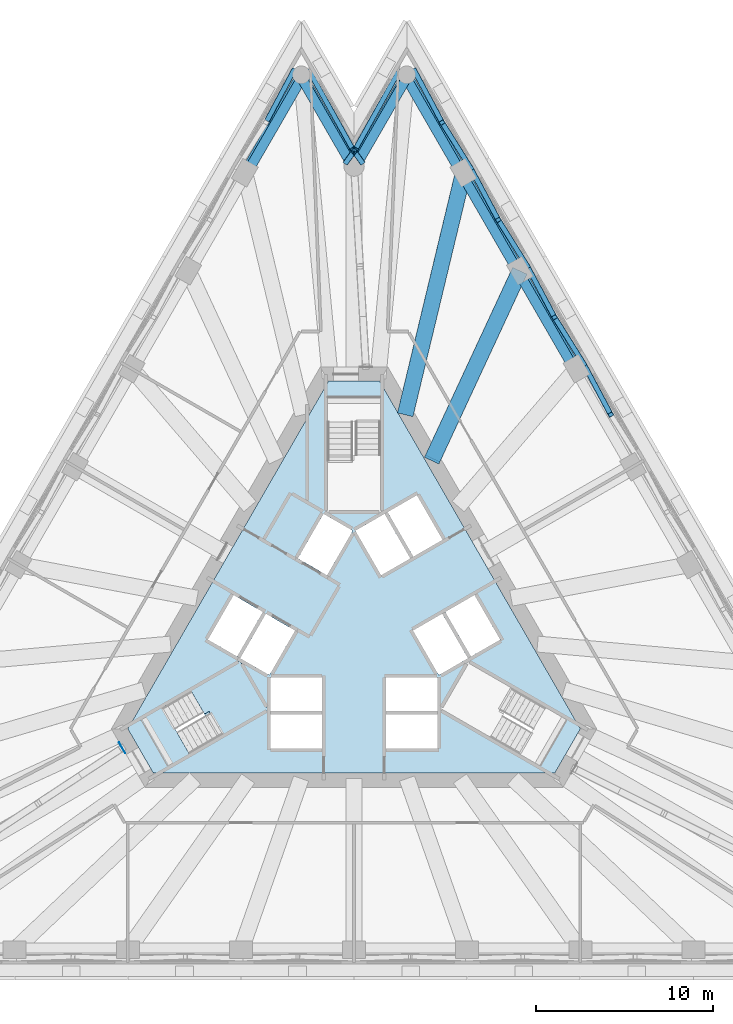
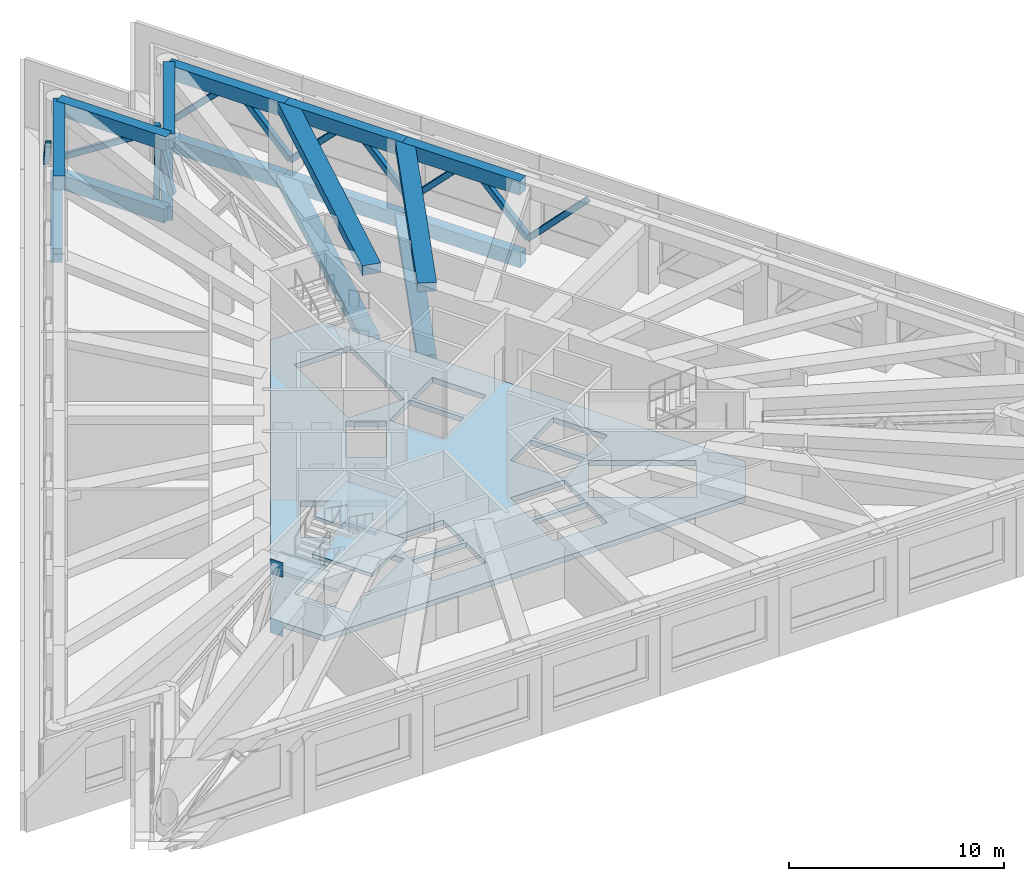
# One storey, part 4 of 13: 16 beams, 12 members, 4 slabs, 2 plates, 1 element without a shape of its own.
"""IFC4 building model written with IfcOpenShell, lengths in metres."""

import ifcopenshell
import ifcopenshell.guid

model = None  # the IFC model being written
_history = None  # IfcOwnerHistory: only IFC2X3 demands one
_inside = {}  # id of a spatial element -> (the spatial element, [elements in it])
_under = {}  # id of a project, library or spatial element -> (it, [spatial elements below it])
_declared = {}  # id of a project -> (the project, [libraries it declares])
_typed = {}  # id of a type object -> (the type object, [elements of that type])
_made_of = {}  # id of a material, layer set ... -> (it, [elements and type objects made of it])


def new_model(schema):
    """Start an empty IFC model of exactly this schema.

    Asked for "IFC4X3", IfcOpenShell would pick the latest addendum, in which some entities
    have other attributes; the version numbers below select the first issue.
    IFC2X3 requires an IfcOwnerHistory on every rooted entity: one is made here for all.
    """
    global model, _history
    if schema == "IFC4X3":
        model = ifcopenshell.file(schema_version=(4, 3, 0, 0))
    else:
        model = ifcopenshell.file(schema=schema)
    _inside.clear()
    _under.clear()
    _declared.clear()
    _typed.clear()
    _made_of.clear()
    _history = None
    if model.schema == "IFC2X3":
        org = make("IfcOrganization", Name="unknown")
        user = make(
            "IfcPersonAndOrganization",
            ThePerson=make("IfcPerson", FamilyName="unknown"),
            TheOrganization=org,
        )
        app = make(
            "IfcApplication",
            ApplicationDeveloper=org,
            Version="unknown",
            ApplicationFullName="unknown",
            ApplicationIdentifier="unknown",
        )
        _history = make(
            "IfcOwnerHistory",
            OwningUser=user,
            OwningApplication=app,
            ChangeAction="ADDED",
            CreationDate=0,
        )
    return model


def make(cls, **values):
    """One entity of the class cls with the attributes given. An attribute that is None is left unset."""
    return model.create_entity(
        cls, **{name: value for name, value in values.items() if value is not None}
    )


def rooted(cls, **values):
    """An entity with a GlobalId (a new one), such as an element, a storey or a relation."""
    return make(cls, GlobalId=ifcopenshell.guid.new(), OwnerHistory=_history, **values)


def si_unit(unit_type, name, prefix=None):
    """IfcSIUnit, for example si_unit("LENGTHUNIT", "METRE", prefix="MILLI")."""
    return make("IfcSIUnit", UnitType=unit_type, Prefix=prefix, Name=name)


def assignment(units):
    """IfcUnitAssignment: the units of a project."""
    return None if units is None else make("IfcUnitAssignment", Units=units)


def point(xyz):
    """IfcCartesianPoint."""
    return None if xyz is None else make("IfcCartesianPoint", Coordinates=xyz)


def direction(xyz):
    """IfcDirection."""
    return None if xyz is None else make("IfcDirection", DirectionRatios=xyz)


def frame(location, z_axis=None, x_axis=None):
    """IfcAxis2Placement3D, a coordinate frame: its origin and axes. An axis left out is left unset."""
    return make(
        "IfcAxis2Placement3D",
        Location=point(location),
        Axis=direction(z_axis),
        RefDirection=direction(x_axis),
    )


def frame_2d(location, x_axis=None):
    """IfcAxis2Placement2D, a coordinate frame in the plane: its origin and x axis."""
    return make(
        "IfcAxis2Placement2D", Location=point(location), RefDirection=direction(x_axis)
    )


def origin():
    """The frame at (0, 0, 0) with its axes left unset."""
    return frame((0.0, 0.0, 0.0))


def origin_2d():
    """The frame at (0, 0) in the plane with its x axis left unset."""
    return frame_2d((0.0, 0.0))


def place(relative_to, where):
    """IfcLocalPlacement: puts the frame where relative to a parent placement (None: the world)."""
    return make(
        "IfcLocalPlacement", PlacementRelTo=relative_to, RelativePlacement=where
    )


def context(
    kind, dimensions, precision=None, world=None, true_north=None, identifier=None
):
    """IfcGeometricRepresentationContext, for example the 3D "Model" context."""
    return make(
        "IfcGeometricRepresentationContext",
        ContextIdentifier=identifier,
        ContextType=kind,
        CoordinateSpaceDimension=dimensions,
        Precision=precision,
        WorldCoordinateSystem=world,
        TrueNorth=true_north,
    )


def subcontext(parent, identifier, kind, view, scale=None):
    """IfcGeometricRepresentationSubContext, for example "Body" below "Model"."""
    return make(
        "IfcGeometricRepresentationSubContext",
        ContextIdentifier=identifier,
        ContextType=kind,
        ParentContext=parent,
        TargetScale=scale,
        TargetView=view,
    )


def project(units=None, contexts=None):
    """IfcProject with its units and contexts."""
    return rooted(
        "IfcProject",
        Name="project",
        RepresentationContexts=contexts,
        UnitsInContext=assignment(units),
    )


def spatial(cls, under=None, at=None, **own):
    """A site, building, storey or space (cls), placed at a placement, below another one or the project."""
    s = rooted(cls, ObjectPlacement=at, **own)
    if under is not None:
        _under.setdefault(under.id(), (under, []))[1].append(s)
    return s


def polyline(points):
    """IfcPolyline through the points."""
    return make("IfcPolyline", Points=[point(p) for p in points])


def profile(cls, at=None, kind="AREA", **sizes):
    """A parametric profile (cls). Its sizes go by their IFC names, for example OverallWidth=200.0."""
    return make(cls, ProfileType=kind, Position=at, **sizes)


def rectangle(**sizes):
    """IfcRectangleProfileDef."""
    return profile("IfcRectangleProfileDef", **sizes)


def hollow_rectangle(**sizes):
    """IfcRectangleHollowProfileDef."""
    return profile("IfcRectangleHollowProfileDef", **sizes)


def outline(outer, holes=None, kind="AREA"):
    """IfcArbitraryClosedProfileDef: a profile drawn as a closed curve; with holes, ...WithVoids."""
    if holes is None:
        return make("IfcArbitraryClosedProfileDef", ProfileType=kind, OuterCurve=outer)
    return make(
        "IfcArbitraryProfileDefWithVoids",
        ProfileType=kind,
        OuterCurve=outer,
        InnerCurves=holes,
    )


def extrude(swept, where, along, depth):
    """IfcExtrudedAreaSolid: the profile swept, set in the frame where, extruded along a direction by depth."""
    return make(
        "IfcExtrudedAreaSolid",
        SweptArea=swept,
        Position=where,
        ExtrudedDirection=direction(along),
        Depth=depth,
    )


def shape(context_of_items, identifier, shape_type, items):
    """IfcShapeRepresentation: the items that make up one representation, for example the "Body"."""
    return make(
        "IfcShapeRepresentation",
        ContextOfItems=context_of_items,
        RepresentationIdentifier=identifier,
        RepresentationType=shape_type,
        Items=items,
    )


def material(Name=None, Category=None):
    """IfcMaterial."""
    return make("IfcMaterial", Name=Name, Category=Category)


def layer(
    of_material, thickness, ventilated=None, Name=None, Category=None, Priority=None
):
    """IfcMaterialLayer: one layer of a wall or slab, of a material (None: an air gap)."""
    return make(
        "IfcMaterialLayer",
        Material=of_material,
        LayerThickness=thickness,
        IsVentilated=ventilated,
        Name=Name,
        Category=Category,
        Priority=Priority,
    )


def layer_set(layers, Name=None):
    """IfcMaterialLayerSet."""
    return make("IfcMaterialLayerSet", MaterialLayers=layers, LayerSetName=Name)


def material_profile(
    of_material, cross_section, Name=None, Category=None, Priority=None
):
    """IfcMaterialProfile: a cross section and its material."""
    return make(
        "IfcMaterialProfile",
        Name=Name,
        Material=of_material,
        Profile=cross_section,
        Priority=Priority,
        Category=Category,
    )


def profile_set(profiles, Name=None, composite=None):
    """IfcMaterialProfileSet."""
    return make(
        "IfcMaterialProfileSet",
        Name=Name,
        MaterialProfiles=profiles,
        CompositeProfile=composite,
    )


def made_of(thing, what):
    """Note that an element or type object is made of a material, layer set ...; save() writes the relation."""
    if what is not None:
        _made_of.setdefault(what.id(), (what, []))[1].append(thing)
    return thing


def type_object(cls, material=None, **own):
    """A type object (cls), such as IfcWallType, which elements share."""
    return made_of(rooted(cls, **own), material)


def element(
    cls,
    number,
    at=None,
    inside=None,
    cuts=None,
    type_object=None,
    material=None,
    context=None,
    identifier="Body",
    shape_type=None,
    held_by="IfcProductDefinitionShape",
    body=None,
    shapes=None,
    **own,
):
    """One element of the class cls, such as IfcWall. Its Tag is "e" and its number.

    at: its placement. inside: the storey or other place that contains it. cuts: it is an
    opening in that element (IfcRelVoidsElement). A single representation is given by context,
    identifier, shape_type and body (its items); several are given by shapes. held_by: the class
    of the entity that holds the representations. save() writes the other relations.
    """
    e = rooted(cls, Tag="e%d" % number, ObjectPlacement=at, **own)
    if body is not None:
        shapes = [shape(context, identifier, shape_type, body)]
    if shapes is not None:
        e.Representation = make(held_by, Representations=shapes)
    if inside is not None:
        _inside.setdefault(inside.id(), (inside, []))[1].append(e)
    if cuts is not None:
        rooted(
            "IfcRelVoidsElement", RelatingBuildingElement=cuts, RelatedOpeningElement=e
        )
    if type_object is not None:
        _typed.setdefault(type_object.id(), (type_object, []))[1].append(e)
    return made_of(e, material)


def aggregate(whole, parts):
    """IfcRelAggregates: a whole, such as a stair, and the parts it consists of."""
    return rooted("IfcRelAggregates", RelatingObject=whole, RelatedObjects=parts)


def save(model, path):
    """Write the relations noted so far, then the file.

    IfcRelAggregates (storeys below a building ...), IfcRelContainedInSpatialStructure (elements
    in a storey), IfcRelDefinesByType, IfcRelAssociatesMaterial and IfcRelDeclares: one each for
    every whole, place, type object, material and project.
    """
    for whole, parts in _under.values():
        aggregate(whole, parts)
    for where, things in _inside.values():
        rooted(
            "IfcRelContainedInSpatialStructure",
            RelatedElements=things,
            RelatingStructure=where,
        )
    for kind, things in _typed.values():
        rooted("IfcRelDefinesByType", RelatedObjects=things, RelatingType=kind)
    for what, things in _made_of.values():
        rooted("IfcRelAssociatesMaterial", RelatedObjects=things, RelatingMaterial=what)
    for by, libraries in _declared.values():
        rooted("IfcRelDeclares", RelatingContext=by, RelatedDefinitions=libraries)
    model.write(path)


model = new_model("IFC4")

# Units and contexts
model_context = context("Model", 3, precision=1e-05, world=origin(), true_north=direction((0.0, 1.0)))
body_context = subcontext(model_context, "Body", "Model", "MODEL_VIEW")
ifc_project = project(units=[si_unit("LENGTHUNIT", "METRE"), si_unit("AREAUNIT", "SQUARE_METRE"), si_unit("VOLUMEUNIT", "CUBIC_METRE"), si_unit("PLANEANGLEUNIT", "RADIAN"), si_unit("MASSUNIT", "GRAM", prefix="KILO")], contexts=[model_context])

# Site, building, storey
site_placement = place(None, origin())
site = spatial("IfcSite", under=ifc_project, at=site_placement, CompositionType="ELEMENT")
building_placement = place(site_placement, origin())
building = spatial("IfcBuilding", under=site, at=building_placement, Name="Triada Interchange Tower", CompositionType="ELEMENT")
storey_placement = place(building_placement, frame((0.0, 0.0, 176.300048828125)))
storey = spatial("IfcBuildingStorey", under=building, at=storey_placement, Name="L41", CompositionType="ELEMENT", Elevation=176.300048828125)

# Members
ifc_material_1 = material(Name="Steel S355", Category="steel")
ifc_material_profile_1 = material_profile(ifc_material_1, hollow_rectangle(XDim=0.300048828125, YDim=0.300048828125, WallThickness=0.01611328125, InnerFilletRadius=0.01611328125, OuterFilletRadius=0.02392578125, at=origin_2d()), Name="RHS 300x300x16")
ifc_profile_set_1 = profile_set([ifc_material_profile_1], Name="Steel S355")
member_type = type_object("IfcMemberType", Name="Belt truss diagonal RHS 300x300x16", PredefinedType="BRACE", material=ifc_profile_set_1)
member_1_placement = place(storey_placement, frame((-3.39501953125, 31.4208984375, 0.14990234375), z_axis=(-0.332013357043, -0.621684929686, 0.709418761343), x_axis=(0.882088827395, -0.471083114306, 0.0)))
element("IfcMember", 1, at=member_1_placement, inside=storey, type_object=member_type, Name="Belt truss diagonal 001 L41", PredefinedType="BRACE", context=body_context, shape_type="SweptSolid", body=[
    extrude(hollow_rectangle(XDim=0.300048828125, YDim=0.300048828125, WallThickness=0.01611328125, InnerFilletRadius=0.01611328125, OuterFilletRadius=0.02392578125, at=origin_2d()), origin(), (0.0, 0.0, 1.0), 4.722412109375),
])
member_2_placement = place(storey_placement, frame((12.9619140625, 14.84912109375, 0.14990234375), z_axis=(0.325436033336, -0.610567458501, 0.722010226262), x_axis=(0.882472906804, 0.47036323066, 0.0)))
element("IfcMember", 2, at=member_2_placement, inside=storey, type_object=member_type, Name="Belt truss diagonal 050 L41", PredefinedType="BRACE", context=body_context, shape_type="SweptSolid", body=[
    extrude(hollow_rectangle(XDim=0.300048828125, YDim=0.300048828125, WallThickness=0.01611328125, InnerFilletRadius=0.01611328125, OuterFilletRadius=0.02392578125, at=origin_2d()), origin(), (0.0, 0.0, 1.0), 4.639892578125),
])
member_3_placement = place(storey_placement, frame((12.9619140625, 14.84912109375, 0.14990234375), z_axis=(-0.36195087439, 0.579100104665, 0.730503000203), x_axis=(-0.847989544952, -0.530012954231, 0.0)))
element("IfcMember", 3, at=member_3_placement, inside=storey, type_object=member_type, Name="Belt truss diagonal 051 L41", PredefinedType="BRACE", context=body_context, shape_type="SweptSolid", body=[
    extrude(hollow_rectangle(XDim=0.300048828125, YDim=0.300048828125, WallThickness=0.01611328125, InnerFilletRadius=0.01611328125, OuterFilletRadius=0.02392578125, at=origin_2d()), origin(), (0.0, 0.0, 1.0), 4.5859375),
])
member_4_placement = place(storey_placement, frame((9.77294921875, 20.373046875, 0.14990234375), z_axis=(0.327580881922, -0.614469136327, 0.717717525424), x_axis=(0.882434019524, 0.470436181842, 0.0)))
element("IfcMember", 4, at=member_4_placement, inside=storey, type_object=member_type, Name="Belt truss diagonal 052 L41", PredefinedType="BRACE", context=body_context, shape_type="SweptSolid", body=[
    extrude(hollow_rectangle(XDim=0.300048828125, YDim=0.300048828125, WallThickness=0.01611328125, InnerFilletRadius=0.01611328125, OuterFilletRadius=0.02392578125, at=origin_2d()), origin(), (0.0, 0.0, 1.0), 4.667724609375),
])
member_5_placement = place(storey_placement, frame((9.77294921875, 20.373046875, 0.14990234375), z_axis=(-0.359676988442, 0.575097641189, 0.734775589608), x_axis=(-0.847838607263, -0.530254369179, 0.0)))
element("IfcMember", 5, at=member_5_placement, inside=storey, type_object=member_type, Name="Belt truss diagonal 053 L41", PredefinedType="BRACE", context=body_context, shape_type="SweptSolid", body=[
    extrude(hollow_rectangle(XDim=0.300048828125, YDim=0.300048828125, WallThickness=0.01611328125, InnerFilletRadius=0.01611328125, OuterFilletRadius=0.02392578125, at=origin_2d()), origin(), (0.0, 0.0, 1.0), 4.559326171875),
])
member_6_placement = place(storey_placement, frame((6.583984375, 25.89697265625, 0.14990234375), z_axis=(0.329936957876, -0.618066301232, 0.713537420958), x_axis=(0.882174134138, 0.470923345205, 0.0)))
element("IfcMember", 6, at=member_6_placement, inside=storey, type_object=member_type, Name="Belt truss diagonal 054 L41", PredefinedType="BRACE", context=body_context, shape_type="SweptSolid", body=[
    extrude(hollow_rectangle(XDim=0.300048828125, YDim=0.300048828125, WallThickness=0.01611328125, InnerFilletRadius=0.01611328125, OuterFilletRadius=0.02392578125, at=origin_2d()), origin(), (0.0, 0.0, 1.0), 4.695068359375),
])
member_7_placement = place(storey_placement, frame((6.583984375, 25.89697265625, 0.14990234375), z_axis=(-0.35760787208, 0.570933893362, 0.739020364561), x_axis=(-0.847481412217, -0.530825070948, 0.0)))
element("IfcMember", 7, at=member_7_placement, inside=storey, type_object=member_type, Name="Belt truss diagonal 055 L41", PredefinedType="BRACE", context=body_context, shape_type="SweptSolid", body=[
    extrude(hollow_rectangle(XDim=0.300048828125, YDim=0.300048828125, WallThickness=0.01611328125, InnerFilletRadius=0.01611328125, OuterFilletRadius=0.02392578125, at=origin_2d()), origin(), (0.0, 0.0, 1.0), 4.533203125),
])
member_8_placement = place(storey_placement, frame((3.39501953125, 31.4208984375, 0.14990234375), z_axis=(0.332013357043, -0.621684929686, 0.709418761343), x_axis=(0.882088827395, 0.471083114306, 0.0)))
element("IfcMember", 8, at=member_8_placement, inside=storey, type_object=member_type, Name="Belt truss diagonal 056 L41", PredefinedType="BRACE", context=body_context, shape_type="SweptSolid", body=[
    extrude(hollow_rectangle(XDim=0.300048828125, YDim=0.300048828125, WallThickness=0.01611328125, InnerFilletRadius=0.01611328125, OuterFilletRadius=0.02392578125, at=origin_2d()), origin(), (0.0, 0.0, 1.0), 4.722412109375),
])
member_9_placement = place(storey_placement, frame((2.547119140625, 31.4208984375, 0.14990234375), z_axis=(-0.407167331159, -0.731514212617, 0.546901930126), x_axis=(0.873766262133, -0.486346089896, 0.0)))
element("IfcMember", 9, at=member_9_placement, inside=storey, type_object=member_type, Name="Belt truss diagonal 057 L41", PredefinedType="BRACE", context=body_context, shape_type="SweptSolid", body=[
    extrude(hollow_rectangle(XDim=0.300048828125, YDim=0.300048828125, WallThickness=0.01611328125, InnerFilletRadius=0.01611328125, OuterFilletRadius=0.02392578125, at=origin_2d()), origin(), (0.0, 0.0, 1.0), 6.12548828125),
])
for number, where, z_axis, x_axis, name in (
    (10, (-0.424072265625, 26.27392578125, 0.14990234375), (0.138323194741, 0.193114470447, 0.971377112712), (-0.81296760876, 0.58230891038, 0.0), "Belt truss diagonal 058 L41"),
    (11, (0.424072265625, 26.27392578125, 0.14990234375), (-0.138323194741, 0.193114470447, 0.971377112712), (-0.81296760876, -0.58230891038, 0.0), "Belt truss diagonal 059 L41"),
):
    element("IfcMember", number, at=place(storey_placement, frame(where, z_axis=z_axis, x_axis=x_axis)), inside=storey, type_object=member_type, Name=name, PredefinedType="BRACE", context=body_context, shape_type="SweptSolid", body=[
        extrude(hollow_rectangle(XDim=0.300048828125, YDim=0.300048828125, WallThickness=0.01611328125, InnerFilletRadius=0.01611328125, OuterFilletRadius=0.02392578125, at=origin_2d()), origin(), (0.0, 0.0, 1.0), 3.44873046875),
    ])
member_10_placement = place(storey_placement, frame((-2.547119140625, 31.4208984375, 0.14990234375), z_axis=(0.407167331159, -0.731514212617, 0.546901930126), x_axis=(0.873766262133, 0.486346089896, 0.0)))
element("IfcMember", 12, at=member_10_placement, inside=storey, type_object=member_type, Name="Belt truss diagonal 060 L41", PredefinedType="BRACE", context=body_context, shape_type="SweptSolid", body=[
    extrude(hollow_rectangle(XDim=0.300048828125, YDim=0.300048828125, WallThickness=0.01611328125, InnerFilletRadius=0.01611328125, OuterFilletRadius=0.02392578125, at=origin_2d()), origin(), (0.0, 0.0, 1.0), 6.12548828125),
])

# Beams
ifc_material_2 = material(Name="Concrete C50/60", Category="concrete")
ifc_material_profile_2 = material_profile(ifc_material_2, rectangle(XDim=0.89990234375, YDim=0.5, at=origin_2d()), Name="RC 900x500")
ifc_profile_set_2 = profile_set([ifc_material_profile_2], Name="Concrete C50/60")
beam_type_1 = type_object("IfcBeamType", Name="Radial band beam B RC 900x500", PredefinedType="BEAM", material=ifc_profile_set_2)
beam_1_placement = place(storey_placement, frame((9.34912109375, 20.1279296875, -0.550048828125), z_axis=(-0.42126048057, -0.906939693425, 0.0), x_axis=(0.906939693425, -0.42126048057, 0.0)))
element("IfcBeam", 13, at=beam_1_placement, inside=storey, type_object=beam_type_1, Name="Radial band beam BB27 L41", PredefinedType="BEAM", context=body_context, shape_type="SweptSolid", body=[
    extrude(rectangle(XDim=0.89990234375, YDim=0.5, at=origin_2d()), origin(), (0.0, 0.0, 1.0), 11.684326171875),
])
beam_2_placement = place(storey_placement, frame((9.29296875, 20.0048828125, 3.64990234375), z_axis=(-0.421322731044, -0.906910776375, 0.0), x_axis=(0.906910776375, -0.421322731044, 0.0)))
element("IfcBeam", 14, at=beam_2_placement, inside=storey, type_object=beam_type_1, Name="Radial band beam BB27 L42", PredefinedType="BEAM", context=body_context, shape_type="SweptSolid", body=[
    extrude(rectangle(XDim=0.89990234375, YDim=0.5, at=origin_2d()), origin(), (0.0, 0.0, 1.0), 11.67041015625),
])
ifc_material_profile_3 = material_profile(ifc_material_2, rectangle(XDim=0.89990234375, YDim=0.550048828125, at=origin_2d()), Name="RC 900x550")
ifc_profile_set_3 = profile_set([ifc_material_profile_3], Name="Concrete C50/60")
beam_type_2 = type_object("IfcBeamType", Name="Radial band beam B RC 900x550", PredefinedType="BEAM", material=ifc_profile_set_3)
beam_3_placement = place(storey_placement, frame((6.159912109375, 25.652099609375, -0.574951171875), z_axis=(-0.233487965445, -0.972359691674, 0.0), x_axis=(0.972359691674, -0.233487965445, 0.0)))
element("IfcBeam", 15, at=beam_3_placement, inside=storey, type_object=beam_type_2, Name="Radial band beam BB28 L41", PredefinedType="BEAM", context=body_context, shape_type="SweptSolid", body=[
    extrude(rectangle(XDim=0.89990234375, YDim=0.550048828125, at=origin_2d()), origin(), (0.0, 0.0, 1.0), 13.888916015625),
])
beam_4_placement = place(storey_placement, frame((6.1240234375, 25.4951171875, 3.625), z_axis=(-0.233551997051, -0.972344313848, 0.0), x_axis=(0.972344313848, -0.233551997051, 0.0)))
element("IfcBeam", 16, at=beam_4_placement, inside=storey, type_object=beam_type_2, Name="Radial band beam BB28 L42", PredefinedType="BEAM", context=body_context, shape_type="SweptSolid", body=[
    extrude(rectangle(XDim=0.89990234375, YDim=0.550048828125, at=origin_2d()), origin(), (0.0, 0.0, 1.0), 13.87255859375),
])
ifc_material_profile_4 = material_profile(ifc_material_2, rectangle(XDim=0.550048828125, YDim=0.800048828125, at=origin_2d()), Name="RC 550x800")
ifc_profile_set_4 = profile_set([ifc_material_profile_4], Name="Concrete C50/60")
beam_type_3 = type_object("IfcBeamType", Name="Spandrel beam B RC 550x800", PredefinedType="BEAM", material=ifc_profile_set_4)
for number, where, z_axis, x_axis, name in (
    (17, (-2.970947265625, 31.176025390625, -0.699951171875), (-0.499967640965, -0.866044085476, 0.0), (0.866044085476, -0.499967640965, 0.0), "Spandrel beam EB01 L41"),
    (18, (12.5380859375, 14.60400390625, -0.699951171875), (-0.499967640965, 0.866044085476, 0.0), (-0.866044085476, -0.499967640965, 0.0), "Spandrel beam EB26 L41"),
):
    element("IfcBeam", number, at=place(storey_placement, frame(where, z_axis=z_axis, x_axis=x_axis)), inside=storey, type_object=beam_type_3, Name=name, PredefinedType="BEAM", context=body_context, shape_type="SweptSolid", body=[
        extrude(rectangle(XDim=0.550048828125, YDim=0.800048828125, at=origin_2d()), origin(), (0.0, 0.0, 1.0), 6.37841796875),
    ])
beam_5_placement = place(storey_placement, frame((9.34912109375, 20.1279296875, -0.699951171875), z_axis=(-0.4999797754, 0.866037080148, 0.0), x_axis=(-0.866037080148, -0.4999797754, 0.0)))
element("IfcBeam", 19, at=beam_5_placement, inside=storey, type_object=beam_type_3, Name="Spandrel beam EB27 L41", PredefinedType="BEAM", context=body_context, shape_type="SweptSolid", body=[
    extrude(rectangle(XDim=0.550048828125, YDim=0.800048828125, at=origin_2d()), origin(), (0.0, 0.0, 1.0), 6.378662109375),
])
beam_6_placement = place(storey_placement, frame((6.159912109375, 25.652099609375, -0.699951171875), z_axis=(-0.499967640965, 0.866044085476, 0.0), x_axis=(-0.866044085476, -0.499967640965, 0.0)))
element("IfcBeam", 20, at=beam_6_placement, inside=storey, type_object=beam_type_3, Name="Spandrel beam EB28 L41", PredefinedType="BEAM", context=body_context, shape_type="SweptSolid", body=[
    extrude(rectangle(XDim=0.550048828125, YDim=0.800048828125, at=origin_2d()), origin(), (0.0, 0.0, 1.0), 6.37841796875),
])
for number, where, z_axis, x_axis, name in (
    (21, (2.970947265625, 31.176025390625, -0.699951171875), (-0.499916858376, -0.866073400303, 0.0), (0.866073400303, -0.499916858376, 0.0), "Spandrel beam EB29 L41"),
    (22, (0.0, 26.029052734375, -0.699951171875), (-0.499916858376, 0.866073400303, 0.0), (-0.866073400303, -0.499916858376, 0.0), "Spandrel beam EB30 L41"),
):
    element("IfcBeam", number, at=place(storey_placement, frame(where, z_axis=z_axis, x_axis=x_axis)), inside=storey, type_object=beam_type_3, Name=name, PredefinedType="BEAM", context=body_context, shape_type="SweptSolid", body=[
        extrude(rectangle(XDim=0.550048828125, YDim=0.800048828125, at=origin_2d()), origin(), (0.0, 0.0, 1.0), 5.94287109375),
    ])
for number, where, z_axis, x_axis, name in (
    (23, (-2.9541015625, 30.985107421875, 3.5), (-0.500032479136, -0.866006651134, 0.0), (0.866006651134, -0.500032479136, 0.0), "Spandrel beam EB01 L42"),
    (24, (12.462890625, 14.514892578125, 3.5), (-0.500032479136, 0.866006651134, 0.0), (-0.866006651134, -0.500032479136, 0.0), "Spandrel beam EB26 L42"),
):
    element("IfcBeam", number, at=place(storey_placement, frame(where, z_axis=z_axis, x_axis=x_axis)), inside=storey, type_object=beam_type_3, Name=name, PredefinedType="BEAM", context=body_context, shape_type="SweptSolid", body=[
        extrude(rectangle(XDim=0.550048828125, YDim=0.800048828125, at=origin_2d()), origin(), (0.0, 0.0, 1.0), 6.33935546875),
    ])
beam_7_placement = place(storey_placement, frame((9.29296875, 20.0048828125, 3.5), z_axis=(-0.49990026157, 0.866082980137, 0.0), x_axis=(-0.866082980137, -0.49990026157, 0.0)))
element("IfcBeam", 25, at=beam_7_placement, inside=storey, type_object=beam_type_3, Name="Spandrel beam EB27 L42", PredefinedType="BEAM", context=body_context, shape_type="SweptSolid", body=[
    extrude(rectangle(XDim=0.550048828125, YDim=0.800048828125, at=origin_2d()), origin(), (0.0, 0.0, 1.0), 6.339111328125),
])
beam_8_placement = place(storey_placement, frame((6.1240234375, 25.4951171875, 3.5), z_axis=(-0.500032479136, 0.866006651134, 0.0), x_axis=(-0.866006651134, -0.500032479136, 0.0)))
element("IfcBeam", 26, at=beam_8_placement, inside=storey, type_object=beam_type_3, Name="Spandrel beam EB28 L42", PredefinedType="BEAM", context=body_context, shape_type="SweptSolid", body=[
    extrude(rectangle(XDim=0.550048828125, YDim=0.800048828125, at=origin_2d()), origin(), (0.0, 0.0, 1.0), 6.33935546875),
])
for number, where, z_axis, x_axis, name in (
    (27, (2.9541015625, 30.985107421875, 3.5), (-0.499960902066, -0.86604797581, 0.0), (0.86604797581, -0.499960902066, 0.0), "Spandrel beam EB29 L42"),
    (28, (0.0, 25.867919921875, 3.5), (-0.499960902066, 0.86604797581, 0.0), (-0.86604797581, -0.499960902066, 0.0), "Spandrel beam EB30 L42"),
):
    element("IfcBeam", number, at=place(storey_placement, frame(where, z_axis=z_axis, x_axis=x_axis)), inside=storey, type_object=beam_type_3, Name=name, PredefinedType="BEAM", context=body_context, shape_type="SweptSolid", body=[
        extrude(rectangle(XDim=0.550048828125, YDim=0.800048828125, at=origin_2d()), origin(), (0.0, 0.0, 1.0), 5.90869140625),
    ])

# Slab
ifc_layer_1 = layer(ifc_material_2, 0.300048828125)
ifc_layer_set_1 = layer_set([ifc_layer_1], Name="Floor slab 300")
slab_type_1 = type_object("IfcSlabType", Name="Floor slab 300", PredefinedType="FLOOR", material=ifc_layer_set_1)
slab_1_placement = place(storey_placement, frame((0.0, 0.0, -0.300048828125)))
element("IfcSlab", 29, at=slab_1_placement, inside=storey, type_object=slab_type_1, Name="Core floor slab L41 1", PredefinedType="FLOOR", context=body_context, shape_type="SweptSolid", body=[
    extrude(outline(polyline([(12.759033203125, -5.699951171875), (11.31591796875, -8.199951171875), (-11.31591796875, -8.199951171875), (-12.759033203125, -5.699951171875), (-1.443115234375, 13.89990234375), (1.443115234375, 13.89990234375), (12.759033203125, -5.699951171875)]), holes=[polyline([(9.2958984375, -7.09912109375), (10.7958984375, -4.5009765625), (6.466064453125, -2.0009765625), (4.966064453125, -4.59912109375), (9.2958984375, -7.09912109375)]), polyline([(6.7890625, 1.841064453125), (5.14404296875, 0.89111328125), (6.593994140625, -1.6201171875), (8.239013671875, -0.669921875), (6.7890625, 1.841064453125)]), polyline([(4.77490234375, -2.669921875), (6.419921875, -1.719970703125), (4.969970703125, 0.791015625), (3.9150390625, 0.181884765625), (3.324951171875, -0.158935546875), (4.77490234375, -2.669921875)]), polyline([(1.89404296875, 6.52001953125), (3.343994140625, 4.009033203125), (4.989013671875, 4.958984375), (3.5390625, 7.469970703125), (1.89404296875, 6.52001953125)]), polyline([(4.699951171875, -6.800048828125), (4.699951171875, -4.89990234375), (1.800048828125, -4.89990234375), (1.800048828125, -6.800048828125), (4.699951171875, -6.800048828125)]), polyline([(4.699951171875, -2.800048828125), (1.800048828125, -2.800048828125), (1.800048828125, -4.699951171875), (4.699951171875, -4.699951171875), (4.699951171875, -2.800048828125)]), polyline([(0.074951171875, 5.469970703125), (1.52490234375, 2.958984375), (3.169921875, 3.908935546875), (1.719970703125, 6.419921875), (0.074951171875, 5.469970703125)]), polyline([(1.5, 11.60009765625), (-1.5, 11.60009765625), (-1.5, 6.60009765625), (1.5, 6.60009765625), (1.5, 11.60009765625)]), polyline([(-1.52490234375, 2.958984375), (-0.074951171875, 5.469970703125), (-1.719970703125, 6.419921875), (-3.169921875, 3.908935546875), (-1.52490234375, 2.958984375)]), polyline([(-1.800048828125, -2.800048828125), (-4.699951171875, -2.800048828125), (-4.699951171875, -4.699951171875), (-1.800048828125, -4.699951171875), (-1.800048828125, -2.800048828125)]), polyline([(-4.699951171875, -6.800048828125), (-1.800048828125, -6.800048828125), (-1.800048828125, -4.89990234375), (-4.699951171875, -4.89990234375), (-4.699951171875, -6.800048828125)]), polyline([(-4.77490234375, -2.669921875), (-3.324951171875, -0.158935546875), (-4.969970703125, 0.791015625), (-6.419921875, -1.719970703125), (-4.77490234375, -2.669921875)]), polyline([(-10.7958984375, -4.5009765625), (-9.2958984375, -7.09912109375), (-4.966064453125, -4.59912109375), (-6.466064453125, -2.0009765625), (-10.7958984375, -4.5009765625)]), polyline([(-6.593994140625, -1.6201171875), (-5.14404296875, 0.89111328125), (-6.7890625, 1.841064453125), (-8.239013671875, -0.669921875), (-6.593994140625, -1.6201171875)])]), origin(), (0.0, 0.0, 1.0), 0.300048828125),
])

# Plates
ifc_material_3 = material(Name="Steel S460M", Category="steel")
ifc_layer_2 = layer(ifc_material_3, 0.01806640625)
ifc_layer_set_2 = layer_set([ifc_layer_2], Name="Outrigger end plate 18")
plate_type = type_object("IfcPlateType", Name="Outrigger end plate 18", PredefinedType="SHEET", material=ifc_layer_set_2)
for number, where, z_axis, x_axis, name in (
    (30, (-13.072021484375, -6.777099609375, -0.14990234375), (0.0, 0.0, 1.0), (-0.866025403784, -0.5, 0.0), "Outrigger end plate SW bottom L41"),
    (31, (-13.072021484375, -6.777099609375, 3.22607421875), (0.0, 0.0, 1.0), (-0.866025403784, -0.5, 0.0), "Outrigger end plate SW top L41"),
):
    element("IfcPlate", number, at=place(storey_placement, frame(where, z_axis=z_axis, x_axis=x_axis)), inside=storey, type_object=plate_type, Name=name, PredefinedType="SHEET", context=body_context, shape_type="SweptSolid", body=[
        extrude(rectangle(XDim=0.01806640625, YDim=0.699951171875, at=origin_2d()), origin(), (0.0, 0.0, 1.0), 0.823974609375),
    ])

# Stair, slabs
ifc_material_4 = material(Name="Concrete C35/45", Category="concrete")
stair_type = type_object("IfcStairType", Name="HALF TURN STAIR 1400", PredefinedType="HALF_TURN_STAIR", material=ifc_material_4)
stair_placement = place(storey_placement, origin())
stair = element("IfcStair", 32, at=stair_placement, inside=storey, type_object=stair_type, Name="Exit stair S41-2", PredefinedType="HALF_TURN_STAIR")
ifc_layer_3 = layer(ifc_material_4, 0.199951171875)
ifc_layer_set_3 = layer_set([ifc_layer_3], Name="STAIR LANDING 200")
slab_type_2 = type_object("IfcSlabType", Name="STAIR LANDING 200", PredefinedType="LANDING", material=ifc_layer_set_3)
slab_2_placement = place(storey_placement, frame((0.0, 0.0, 0.88623046875)))
slab_2 = element("IfcSlab", 33, at=slab_2_placement, type_object=slab_type_2, Name="S41-2 landing 1", PredefinedType="LANDING", context=body_context, shape_type="SweptSolid", body=[
    extrude(outline(polyline([(-6.428955078125, -1.864013671875), (-9.235107421875, -3.48388671875), (-7.635009765625, -6.256103515625), (-4.8291015625, -4.635986328125), (-6.428955078125, -1.864013671875)])), origin(), (0.0, 0.0, 1.0), 0.199951171875),
])
slab_3_placement = place(storey_placement, frame((0.0, 0.0, 3.05859375)))
slab_3 = element("IfcSlab", 34, at=slab_3_placement, type_object=slab_type_2, Name="S41-2 landing 2", PredefinedType="LANDING", context=body_context, shape_type="SweptSolid", body=[
    extrude(outline(polyline([(-6.428955078125, -1.864013671875), (-9.235107421875, -3.48388671875), (-8.43505859375, -4.8701171875), (-8.1669921875, -4.715087890625), (-7.366943359375, -6.10107421875), (-4.8291015625, -4.635986328125), (-6.428955078125, -1.864013671875)])), origin(), (0.0, 0.0, 1.0), 0.199951171875),
])
slab_4_placement = place(storey_placement, frame((0.0, 0.0, 1.972412109375)))
slab_4 = element("IfcSlab", 35, at=slab_4_placement, type_object=slab_type_2, Name="S41-2 landing 3", PredefinedType="LANDING", context=body_context, shape_type="SweptSolid", body=[
    extrude(outline(polyline([(-10.845947265625, -4.4140625), (-12.05810546875, -5.114013671875), (-10.4580078125, -7.885986328125), (-9.24609375, -7.18603515625), (-10.845947265625, -4.4140625)])), origin(), (0.0, 0.0, 1.0), 0.199951171875),
])
aggregate(stair, [slab_2, slab_3, slab_4])

save(model, "model.ifc")
